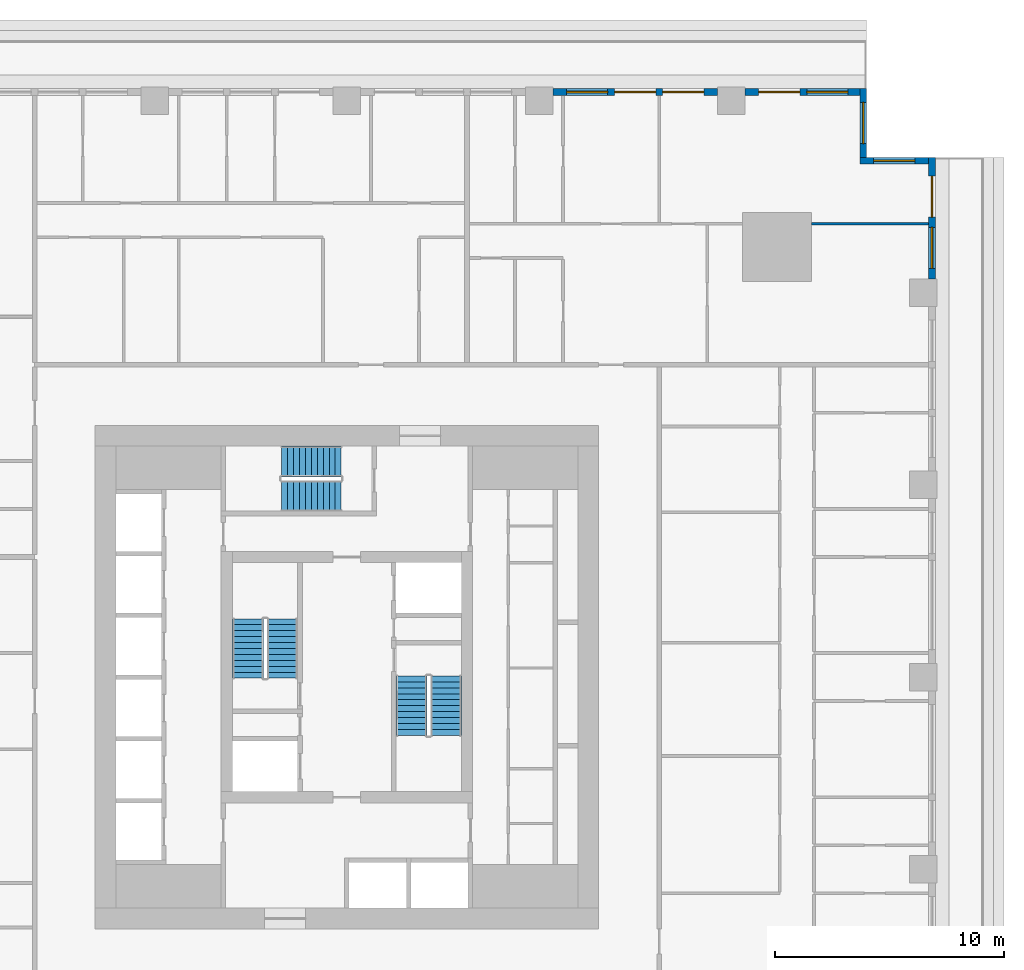
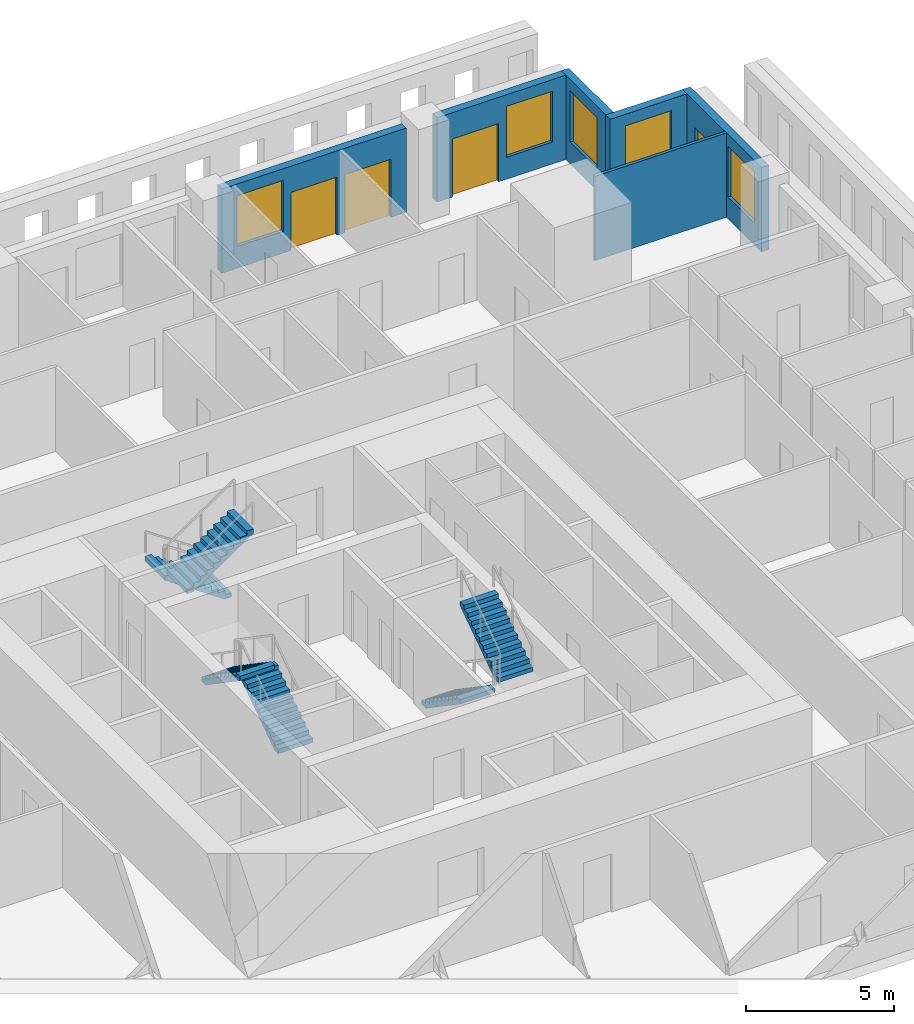
# One storey, part 10 of 15: 6 stair flights, 6 walls, 5 windows, 4 doors, 9 openings, 3 elements without a shape of their own.
"""IFC4 building model written with IfcOpenShell, lengths in metres."""

from ifc_helpers import new_model, si_unit, direction, frame, frame_2d, origin, place, context, subcontext, project, spatial, polyline, rectangle, outline, extrude, material, layer, layer_set, type_object, element, fill, aggregate, save


model = new_model("IFC4")

# Units and contexts
model_context = context("Model", 3, precision=1e-05, world=origin(), true_north=direction((0.0, 1.0)))
body_context = subcontext(model_context, "Body", "Model", "MODEL_VIEW")
ifc_project = project(units=[si_unit("LENGTHUNIT", "METRE"), si_unit("AREAUNIT", "SQUARE_METRE"), si_unit("VOLUMEUNIT", "CUBIC_METRE"), si_unit("PLANEANGLEUNIT", "RADIAN"), si_unit("MASSUNIT", "GRAM", prefix="KILO")], contexts=[model_context])

# Site, building, storey
site_placement = place(None, origin())
site = spatial("IfcSite", under=ifc_project, at=site_placement, CompositionType="ELEMENT")
building_placement = place(site_placement, origin())
building = spatial("IfcBuilding", under=site, at=building_placement, Name="Khepri Terraces", CompositionType="ELEMENT")
storey_placement = place(building_placement, frame((0.0, 0.0, 58.199951171875)))
storey = spatial("IfcBuildingStorey", under=building, at=storey_placement, Name="L13", CompositionType="ELEMENT", Elevation=58.199951171875)

# Wall, openings, door, window
ifc_material_1 = material(Name="Precast concrete C50/60 warm stone", Category="masonry")
ifc_layer_1 = layer(ifc_material_1, 0.300048828125, Name="Precast concrete C50/60 warm stone", Category="masonry")
ifc_layer_set_1 = layer_set([ifc_layer_1], Name="Precast concrete C50/60 warm stone")
wall_type_1 = type_object("IfcWallType", Name="WL-EXT-PRECAST-300", PredefinedType="STANDARD", material=ifc_layer_set_1)
wall_1_placement = place(storey_placement, frame((25.570068359375, 17.39990234375, 0.0), z_axis=(0.0, 0.0, 1.0), x_axis=(0.0, 1.0, 0.0)))
wall_1 = element("IfcWall", 1, at=wall_1_placement, inside=storey, type_object=wall_type_1, Name="External wall L13 E", PredefinedType="STANDARD", context=body_context, shape_type="SweptSolid", body=[
    extrude(rectangle(XDim=5.320068359375, YDim=0.300048828125, at=frame_2d((2.66015625, 0.0))), origin(), (0.0, 0.0, 1.0), 3.47998046875),
])
opening_1_placement = place(wall_1_placement, frame((2.699951171875, 0.0, 0.0)))
opening_1 = element("IfcOpeningElement", 2, at=opening_1_placement, cuts=wall_1, Name="Opening ED-L13-04", PredefinedType="OPENING", context=body_context, shape_type="SweptSolid", body=[
    extrude(rectangle(XDim=1.800048828125, YDim=2.39990234375, at=frame_2d((0.89990234375, 1.199951171875))), frame((0.0, 0.16015625, 0.0), z_axis=(0.0, -1.0, 0.0), x_axis=(1.0, 0.0, 0.0)), (0.0, 0.0, 1.0), 0.320068359375),
])
opening_2_placement = place(wall_1_placement, frame((0.4599609375, 0.0, 0.89990234375)))
opening_2 = element("IfcOpeningElement", 3, at=opening_2_placement, cuts=wall_1, Name="Opening W1", PredefinedType="OPENING", context=body_context, shape_type="SweptSolid", body=[
    extrude(rectangle(XDim=1.800048828125, YDim=2.10009765625, at=frame_2d((0.89990234375, 1.050048828125))), frame((0.0, 0.16015625, 0.0), z_axis=(0.0, -1.0, 0.0), x_axis=(1.0, 0.0, 0.0)), (0.0, 0.0, 1.0), 0.320068359375),
])
ifc_material_2 = material(Name="Anodised aluminium bronze glazed door", Category="aluminium")
door_type = type_object("IfcDoorType", Name="DR-BAL-SLIDE-1800x2400", OperationType="NOTDEFINED", PredefinedType="DOOR", material=ifc_material_2)
door_1_placement = place(opening_1_placement, origin())
door_1 = element("IfcDoor", 4, at=door_1_placement, inside=storey, type_object=door_type, Name="Balcony door L13 E", OperationType="SLIDING_TO_LEFT", OverallHeight=2.39990234375, OverallWidth=1.800048828125, PredefinedType="DOOR", context=body_context, shape_type="SweptSolid", body=[
    extrude(rectangle(XDim=1.800048828125, YDim=2.39990234375, at=frame_2d((0.89990234375, 1.199951171875))), frame((0.0, 0.02490234375, 0.0), z_axis=(0.0, -1.0, 0.0), x_axis=(1.0, 0.0, 0.0)), (0.0, 0.0, 1.0), 0.050048828125),
])
fill(opening_1, door_1)
ifc_material_3 = material(Name="Clear glass", Category="glass")
window_type = type_object("IfcWindowType", Name="WIN-RES-1800x2100", PartitioningType="SINGLE_PANEL", PredefinedType="WINDOW", material=ifc_material_3)
window_1_placement = place(opening_2_placement, origin())
window_1 = element("IfcWindow", 5, at=window_1_placement, inside=storey, type_object=window_type, Name="Window L13 E", OverallHeight=2.10009765625, OverallWidth=1.800048828125, PartitioningType="SINGLE_PANEL", PredefinedType="WINDOW", context=body_context, shape_type="SweptSolid", body=[
    extrude(rectangle(XDim=1.800048828125, YDim=2.10009765625, at=frame_2d((0.89990234375, 1.050048828125))), frame((0.0, 0.030029296875, 0.0), z_axis=(0.0, -1.0, 0.0), x_axis=(1.0, 0.0, 0.0)), (0.0, 0.0, 1.0), 0.06005859375),
])
fill(opening_2, window_1)

# Wall, opening, window
wall_2_placement = place(storey_placement, frame((25.419921875, 22.570068359375, 0.0), z_axis=(0.0, 0.0, 1.0), x_axis=(-1.0, 0.0, 0.0)))
wall_2 = element("IfcWall", 6, at=wall_2_placement, inside=storey, type_object=wall_type_1, Name="External wall L13 N", PredefinedType="STANDARD", context=body_context, shape_type="SweptSolid", body=[
    extrude(rectangle(XDim=3.0, YDim=0.300048828125, at=frame_2d((1.5, 0.0))), origin(), (0.0, 0.0, 1.0), 3.47998046875),
])
opening_3_placement = place(wall_2_placement, frame((0.60009765625, 0.0, 0.89990234375)))
opening_3 = element("IfcOpeningElement", 7, at=opening_3_placement, cuts=wall_2, Name="Opening W1", PredefinedType="OPENING", context=body_context, shape_type="SweptSolid", body=[
    extrude(rectangle(XDim=1.800048828125, YDim=2.10009765625, at=frame_2d((0.89990234375, 1.050048828125))), frame((0.0, 0.16015625, 0.0), z_axis=(0.0, -1.0, 0.0), x_axis=(1.0, 0.0, 0.0)), (0.0, 0.0, 1.0), 0.320068359375),
])
window_2_placement = place(opening_3_placement, origin())
window_2 = element("IfcWindow", 8, at=window_2_placement, inside=storey, type_object=window_type, Name="Window L13 N", OverallHeight=2.10009765625, OverallWidth=1.800048828125, PartitioningType="SINGLE_PANEL", PredefinedType="WINDOW", context=body_context, shape_type="SweptSolid", body=[
    extrude(rectangle(XDim=1.800048828125, YDim=2.10009765625, at=frame_2d((0.89990234375, 1.050048828125))), frame((0.0, 0.030029296875, 0.0), z_axis=(0.0, -1.0, 0.0), x_axis=(1.0, 0.0, 0.0)), (0.0, 0.0, 1.0), 0.06005859375),
])
fill(opening_3, window_2)

wall_3_placement = place(storey_placement, frame((22.570068359375, 22.719970703125, 0.0), z_axis=(0.0, 0.0, 1.0), x_axis=(0.0, 1.0, 0.0)))
wall_3 = element("IfcWall", 9, at=wall_3_placement, inside=storey, type_object=wall_type_1, Name="External wall L13 E", PredefinedType="STANDARD", context=body_context, shape_type="SweptSolid", body=[
    extrude(rectangle(XDim=3.0, YDim=0.300048828125, at=frame_2d((1.5, 0.0))), origin(), (0.0, 0.0, 1.0), 3.47998046875),
])
opening_4_placement = place(wall_3_placement, frame((0.60009765625, 0.0, 0.89990234375)))
opening_4 = element("IfcOpeningElement", 10, at=opening_4_placement, cuts=wall_3, Name="Opening W1", PredefinedType="OPENING", context=body_context, shape_type="SweptSolid", body=[
    extrude(rectangle(XDim=1.800048828125, YDim=2.10009765625, at=frame_2d((0.89990234375, 1.050048828125))), frame((0.0, 0.16015625, 0.0), z_axis=(0.0, -1.0, 0.0), x_axis=(1.0, 0.0, 0.0)), (0.0, 0.0, 1.0), 0.320068359375),
])
window_3_placement = place(opening_4_placement, origin())
window_3 = element("IfcWindow", 11, at=window_3_placement, inside=storey, type_object=window_type, Name="Window L13 E", OverallHeight=2.10009765625, OverallWidth=1.800048828125, PartitioningType="SINGLE_PANEL", PredefinedType="WINDOW", context=body_context, shape_type="SweptSolid", body=[
    extrude(rectangle(XDim=1.800048828125, YDim=2.10009765625, at=frame_2d((0.89990234375, 1.050048828125))), frame((0.0, 0.030029296875, 0.0), z_axis=(0.0, -1.0, 0.0), x_axis=(1.0, 0.0, 0.0)), (0.0, 0.0, 1.0), 0.06005859375),
])
fill(opening_4, window_3)

# Wall, openings, door, window
wall_4_placement = place(storey_placement, frame((22.419921875, 25.570068359375, 0.0), z_axis=(0.0, 0.0, 1.0), x_axis=(-1.0, 0.0, 0.0)))
wall_4 = element("IfcWall", 12, at=wall_4_placement, inside=storey, type_object=wall_type_1, Name="External wall L13 N", PredefinedType="STANDARD", context=body_context, shape_type="SweptSolid", body=[
    extrude(rectangle(XDim=5.02001953125, YDim=0.300048828125, at=frame_2d((2.510009765625, 0.0))), origin(), (0.0, 0.0, 1.0), 3.47998046875),
])
opening_5_placement = place(wall_4_placement, frame((0.52001953125, 0.0, 0.89990234375)))
opening_5 = element("IfcOpeningElement", 13, at=opening_5_placement, cuts=wall_4, Name="Opening W1", PredefinedType="OPENING", context=body_context, shape_type="SweptSolid", body=[
    extrude(rectangle(XDim=1.800048828125, YDim=2.10009765625, at=frame_2d((0.89990234375, 1.050048828125))), frame((0.0, 0.16015625, 0.0), z_axis=(0.0, -1.0, 0.0), x_axis=(1.0, 0.0, 0.0)), (0.0, 0.0, 1.0), 0.320068359375),
])
opening_6_placement = place(wall_4_placement, frame((2.6201171875, 0.0, 0.0)))
opening_6 = element("IfcOpeningElement", 14, at=opening_6_placement, cuts=wall_4, Name="Opening ED-L13-05", PredefinedType="OPENING", context=body_context, shape_type="SweptSolid", body=[
    extrude(rectangle(XDim=1.800048828125, YDim=2.39990234375, at=frame_2d((0.89990234375, 1.199951171875))), frame((0.0, 0.16015625, 0.0), z_axis=(0.0, -1.0, 0.0), x_axis=(1.0, 0.0, 0.0)), (0.0, 0.0, 1.0), 0.320068359375),
])
door_2_placement = place(opening_6_placement, origin())
door_2 = element("IfcDoor", 15, at=door_2_placement, inside=storey, type_object=door_type, Name="Balcony door L13 N", OperationType="SLIDING_TO_RIGHT", OverallHeight=2.39990234375, OverallWidth=1.800048828125, PredefinedType="DOOR", context=body_context, shape_type="SweptSolid", body=[
    extrude(rectangle(XDim=1.800048828125, YDim=2.39990234375, at=frame_2d((0.89990234375, 1.199951171875))), frame((0.0, 0.02490234375, 0.0), z_axis=(0.0, -1.0, 0.0), x_axis=(1.0, 0.0, 0.0)), (0.0, 0.0, 1.0), 0.050048828125),
])
fill(opening_6, door_2)
window_4_placement = place(opening_5_placement, origin())
window_4 = element("IfcWindow", 16, at=window_4_placement, inside=storey, type_object=window_type, Name="Window L13 N", OverallHeight=2.10009765625, OverallWidth=1.800048828125, PartitioningType="SINGLE_PANEL", PredefinedType="WINDOW", context=body_context, shape_type="SweptSolid", body=[
    extrude(rectangle(XDim=1.800048828125, YDim=2.10009765625, at=frame_2d((0.89990234375, 1.050048828125))), frame((0.0, 0.030029296875, 0.0), z_axis=(0.0, -1.0, 0.0), x_axis=(1.0, 0.0, 0.0)), (0.0, 0.0, 1.0), 0.06005859375),
])
fill(opening_5, window_4)

# Wall, openings, doors, window
wall_5_placement = place(storey_placement, frame((16.199951171875, 25.570068359375, 0.0), z_axis=(0.0, 0.0, 1.0), x_axis=(-1.0, 0.0, 0.0)))
wall_5 = element("IfcWall", 17, at=wall_5_placement, inside=storey, type_object=wall_type_1, Name="External wall L13 N", PredefinedType="STANDARD", context=body_context, shape_type="SweptSolid", body=[
    extrude(rectangle(XDim=7.199951171875, YDim=0.300048828125, at=frame_2d((3.60009765625, 0.0))), origin(), (0.0, 0.0, 1.0), 3.47998046875),
])
opening_7_placement = place(wall_5_placement, frame((0.60009765625, 0.0, 0.0)))
opening_7 = element("IfcOpeningElement", 18, at=opening_7_placement, cuts=wall_5, Name="Opening ED-L13-06", PredefinedType="OPENING", context=body_context, shape_type="SweptSolid", body=[
    extrude(rectangle(XDim=1.800048828125, YDim=2.39990234375, at=frame_2d((0.89990234375, 1.199951171875))), frame((0.0, 0.16015625, 0.0), z_axis=(0.0, -1.0, 0.0), x_axis=(1.0, 0.0, 0.0)), (0.0, 0.0, 1.0), 0.320068359375),
])
opening_8_placement = place(wall_5_placement, frame((2.699951171875, 0.0, 0.0)))
opening_8 = element("IfcOpeningElement", 19, at=opening_8_placement, cuts=wall_5, Name="Opening ED-L13-07", PredefinedType="OPENING", context=body_context, shape_type="SweptSolid", body=[
    extrude(rectangle(XDim=1.800048828125, YDim=2.39990234375, at=frame_2d((0.89990234375, 1.199951171875))), frame((0.0, 0.16015625, 0.0), z_axis=(0.0, -1.0, 0.0), x_axis=(1.0, 0.0, 0.0)), (0.0, 0.0, 1.0), 0.320068359375),
])
opening_9_placement = place(wall_5_placement, frame((4.800048828125, 0.0, 0.89990234375)))
opening_9 = element("IfcOpeningElement", 20, at=opening_9_placement, cuts=wall_5, Name="Opening W1", PredefinedType="OPENING", context=body_context, shape_type="SweptSolid", body=[
    extrude(rectangle(XDim=1.800048828125, YDim=2.10009765625, at=frame_2d((0.89990234375, 1.050048828125))), frame((0.0, 0.16015625, 0.0), z_axis=(0.0, -1.0, 0.0), x_axis=(1.0, 0.0, 0.0)), (0.0, 0.0, 1.0), 0.320068359375),
])
door_3_placement = place(opening_7_placement, origin())
door_3 = element("IfcDoor", 21, at=door_3_placement, inside=storey, type_object=door_type, Name="Balcony door L13 N", OperationType="SLIDING_TO_LEFT", OverallHeight=2.39990234375, OverallWidth=1.800048828125, PredefinedType="DOOR", context=body_context, shape_type="SweptSolid", body=[
    extrude(rectangle(XDim=1.800048828125, YDim=2.39990234375, at=frame_2d((0.89990234375, 1.199951171875))), frame((0.0, 0.02490234375, 0.0), z_axis=(0.0, -1.0, 0.0), x_axis=(1.0, 0.0, 0.0)), (0.0, 0.0, 1.0), 0.050048828125),
])
fill(opening_7, door_3)
door_4_placement = place(opening_8_placement, origin())
door_4 = element("IfcDoor", 22, at=door_4_placement, inside=storey, type_object=door_type, Name="Balcony door L13 N", OperationType="SLIDING_TO_RIGHT", OverallHeight=2.39990234375, OverallWidth=1.800048828125, PredefinedType="DOOR", context=body_context, shape_type="SweptSolid", body=[
    extrude(rectangle(XDim=1.800048828125, YDim=2.39990234375, at=frame_2d((0.89990234375, 1.199951171875))), frame((0.0, 0.02490234375, 0.0), z_axis=(0.0, -1.0, 0.0), x_axis=(1.0, 0.0, 0.0)), (0.0, 0.0, 1.0), 0.050048828125),
])
fill(opening_8, door_4)
window_5_placement = place(opening_9_placement, origin())
window_5 = element("IfcWindow", 23, at=window_5_placement, inside=storey, type_object=window_type, Name="Window L13 N", OverallHeight=2.10009765625, OverallWidth=1.800048828125, PartitioningType="SINGLE_PANEL", PredefinedType="WINDOW", context=body_context, shape_type="SweptSolid", body=[
    extrude(rectangle(XDim=1.800048828125, YDim=2.10009765625, at=frame_2d((0.89990234375, 1.050048828125))), frame((0.0, 0.030029296875, 0.0), z_axis=(0.0, -1.0, 0.0), x_axis=(1.0, 0.0, 0.0)), (0.0, 0.0, 1.0), 0.06005859375),
])
fill(opening_9, window_5)

# Wall
ifc_material_4 = material(Name="Gypsum plasterboard partition")
ifc_layer_2 = layer(ifc_material_4, 0.1201171875, Name="Gypsum plasterboard partition")
ifc_layer_set_2 = layer_set([ifc_layer_2], Name="Gypsum plasterboard partition")
wall_type_2 = type_object("IfcWallType", Name="WL-PART-120", PredefinedType="PARTITIONING", material=ifc_layer_set_2)
wall_6_placement = place(storey_placement, frame((20.300048828125, 19.820068359375, 0.0), z_axis=(0.0, 0.0, 1.0), x_axis=(1.0, 0.0, 0.0)))
element("IfcWall", 24, at=wall_6_placement, inside=storey, type_object=wall_type_2, Name="Partition P-097 L13", PredefinedType="PARTITIONING", context=body_context, shape_type="SweptSolid", body=[
    extrude(rectangle(XDim=5.119873046875, YDim=0.1201171875, at=frame_2d((2.56005859375, 0.0))), origin(), (0.0, 0.0, 1.0), 3.47998046875),
])

# Stair, stair flights
ifc_material_5 = material(Name="Concrete C40/50", Category="concrete")
stair_type = type_object("IfcStairType", Name="STAIR-RC-22R", PredefinedType="HALF_TURN_STAIR", material=ifc_material_5)
stair_1_placement = place(storey_placement, origin())
stair_1 = element("IfcStair", 25, at=stair_1_placement, inside=storey, type_object=stair_type, Name="L13 Exit Stair ST-1", PredefinedType="HALF_TURN_STAIR")
stair_flight_type = type_object("IfcStairFlightType", Name="SFL-RC-177.3", PredefinedType="STRAIGHT", material=ifc_material_5)
stair_flight_1_placement = place(storey_placement, frame((-2.824951171875, -0.050048828125, 0.0), z_axis=(0.0, 0.0, 1.0), x_axis=(0.0, 1.0, 0.0)))
stair_flight_1 = element("IfcStairFlight", 26, at=stair_flight_1_placement, type_object=stair_flight_type, Name="ST-1 flight 1", NumberOfRisers=11, NumberOfTreads=10, PredefinedType="STRAIGHT", RiserHeight=0.177272727, TreadLength=0.26, context=body_context, shape_type="SweptSolid", body=[
    extrude(outline(polyline([(0.0, 0.0), (0.0, 0.17724609375), (0.260009765625, 0.17724609375), (0.260009765625, 0.3544921875), (0.52001953125, 0.3544921875), (0.52001953125, 0.53173828125), (0.780029296875, 0.53173828125), (0.780029296875, 0.708984375), (1.0400390625, 0.708984375), (1.0400390625, 0.886474609375), (1.300048828125, 0.886474609375), (1.300048828125, 1.063720703125), (1.56005859375, 1.063720703125), (1.56005859375, 1.240966796875), (1.820068359375, 1.240966796875), (1.820068359375, 1.418212890625), (2.080078125, 1.418212890625), (2.080078125, 1.595458984375), (2.340087890625, 1.595458984375), (2.340087890625, 1.772705078125), (2.60009765625, 1.772705078125), (2.60009765625, 1.949951171875), (2.60009765625, 1.59130859375), (0.26611328125, 0.0), (0.0, 0.0)])), frame((0.0, 0.675048828125, 0.0), z_axis=(0.0, -1.0, 0.0), x_axis=(1.0, 0.0, 0.0)), (0.0, 0.0, 1.0), 1.35009765625),
])
stair_flight_2_placement = place(storey_placement, frame((-4.324951171875, 2.550048828125, 1.949951171875), z_axis=(0.0, 0.0, 1.0), x_axis=(0.0, -1.0, 0.0)))
stair_flight_2 = element("IfcStairFlight", 27, at=stair_flight_2_placement, type_object=stair_flight_type, Name="ST-1 flight 2", NumberOfRisers=11, NumberOfTreads=10, PredefinedType="STRAIGHT", RiserHeight=0.177272727, TreadLength=0.26, context=body_context, shape_type="SweptSolid", body=[
    extrude(outline(polyline([(0.0, 0.0), (0.0, 0.17724609375), (0.260009765625, 0.17724609375), (0.260009765625, 0.3544921875), (0.52001953125, 0.3544921875), (0.52001953125, 0.53173828125), (0.780029296875, 0.53173828125), (0.780029296875, 0.708984375), (1.0400390625, 0.708984375), (1.0400390625, 0.886474609375), (1.300048828125, 0.886474609375), (1.300048828125, 1.063720703125), (1.56005859375, 1.063720703125), (1.56005859375, 1.240966796875), (1.820068359375, 1.240966796875), (1.820068359375, 1.418212890625), (2.080078125, 1.418212890625), (2.080078125, 1.595458984375), (2.340087890625, 1.595458984375), (2.340087890625, 1.772705078125), (2.60009765625, 1.772705078125), (2.60009765625, 1.949951171875), (2.60009765625, 1.59130859375), (0.26611328125, 0.0), (0.0, 0.0)])), frame((0.0, 0.675048828125, 0.0), z_axis=(0.0, -1.0, 0.0), x_axis=(1.0, 0.0, 0.0)), (0.0, 0.0, 1.0), 1.35009765625),
])
aggregate(stair_1, [stair_flight_1, stair_flight_2])

stair_2_placement = place(storey_placement, origin())
stair_2 = element("IfcStair", 28, at=stair_2_placement, inside=storey, type_object=stair_type, Name="L13 Exit Stair ST-2", PredefinedType="HALF_TURN_STAIR")
stair_flight_3_placement = place(storey_placement, frame((2.824951171875, 0.050048828125, 0.0), z_axis=(0.0, 0.0, 1.0), x_axis=(0.0, -1.0, 0.0)))
stair_flight_3 = element("IfcStairFlight", 29, at=stair_flight_3_placement, type_object=stair_flight_type, Name="ST-2 flight 1", NumberOfRisers=11, NumberOfTreads=10, PredefinedType="STRAIGHT", RiserHeight=0.177272727, TreadLength=0.26, context=body_context, shape_type="SweptSolid", body=[
    extrude(outline(polyline([(0.0, 0.0), (0.0, 0.17724609375), (0.260009765625, 0.17724609375), (0.260009765625, 0.3544921875), (0.52001953125, 0.3544921875), (0.52001953125, 0.53173828125), (0.780029296875, 0.53173828125), (0.780029296875, 0.708984375), (1.0400390625, 0.708984375), (1.0400390625, 0.886474609375), (1.300048828125, 0.886474609375), (1.300048828125, 1.063720703125), (1.56005859375, 1.063720703125), (1.56005859375, 1.240966796875), (1.820068359375, 1.240966796875), (1.820068359375, 1.418212890625), (2.080078125, 1.418212890625), (2.080078125, 1.595458984375), (2.340087890625, 1.595458984375), (2.340087890625, 1.772705078125), (2.60009765625, 1.772705078125), (2.60009765625, 1.949951171875), (2.60009765625, 1.59130859375), (0.26611328125, 0.0), (0.0, 0.0)])), frame((0.0, 0.675048828125, 0.0), z_axis=(0.0, -1.0, 0.0), x_axis=(1.0, 0.0, 0.0)), (0.0, 0.0, 1.0), 1.35009765625),
])
stair_flight_4_placement = place(storey_placement, frame((4.324951171875, -2.550048828125, 1.949951171875), z_axis=(0.0, 0.0, 1.0), x_axis=(0.0, 1.0, 0.0)))
stair_flight_4 = element("IfcStairFlight", 30, at=stair_flight_4_placement, type_object=stair_flight_type, Name="ST-2 flight 2", NumberOfRisers=11, NumberOfTreads=10, PredefinedType="STRAIGHT", RiserHeight=0.177272727, TreadLength=0.26, context=body_context, shape_type="SweptSolid", body=[
    extrude(outline(polyline([(0.0, 0.0), (0.0, 0.17724609375), (0.260009765625, 0.17724609375), (0.260009765625, 0.3544921875), (0.52001953125, 0.3544921875), (0.52001953125, 0.53173828125), (0.780029296875, 0.53173828125), (0.780029296875, 0.708984375), (1.0400390625, 0.708984375), (1.0400390625, 0.886474609375), (1.300048828125, 0.886474609375), (1.300048828125, 1.063720703125), (1.56005859375, 1.063720703125), (1.56005859375, 1.240966796875), (1.820068359375, 1.240966796875), (1.820068359375, 1.418212890625), (2.080078125, 1.418212890625), (2.080078125, 1.595458984375), (2.340087890625, 1.595458984375), (2.340087890625, 1.772705078125), (2.60009765625, 1.772705078125), (2.60009765625, 1.949951171875), (2.60009765625, 1.59130859375), (0.26611328125, 0.0), (0.0, 0.0)])), frame((0.0, 0.675048828125, 0.0), z_axis=(0.0, -1.0, 0.0), x_axis=(1.0, 0.0, 0.0)), (0.0, 0.0, 1.0), 1.35009765625),
])
aggregate(stair_2, [stair_flight_3, stair_flight_4])

stair_3_placement = place(storey_placement, origin())
stair_3 = element("IfcStair", 31, at=stair_3_placement, inside=storey, type_object=stair_type, Name="L13 Exit Stair ST-3", PredefinedType="HALF_TURN_STAIR")
stair_flight_5_placement = place(storey_placement, frame((-0.25, 9.425048828125, 0.0), z_axis=(0.0, 0.0, 1.0), x_axis=(-1.0, 0.0, 0.0)))
stair_flight_5 = element("IfcStairFlight", 32, at=stair_flight_5_placement, type_object=stair_flight_type, Name="ST-3 flight 1", NumberOfRisers=11, NumberOfTreads=10, PredefinedType="STRAIGHT", RiserHeight=0.177272727, TreadLength=0.26, context=body_context, shape_type="SweptSolid", body=[
    extrude(outline(polyline([(0.0, 0.0), (0.0, 0.17724609375), (0.260009765625, 0.17724609375), (0.260009765625, 0.3544921875), (0.52001953125, 0.3544921875), (0.52001953125, 0.53173828125), (0.780029296875, 0.53173828125), (0.780029296875, 0.708984375), (1.0400390625, 0.708984375), (1.0400390625, 0.886474609375), (1.300048828125, 0.886474609375), (1.300048828125, 1.063720703125), (1.56005859375, 1.063720703125), (1.56005859375, 1.240966796875), (1.820068359375, 1.240966796875), (1.820068359375, 1.418212890625), (2.080078125, 1.418212890625), (2.080078125, 1.595458984375), (2.340087890625, 1.595458984375), (2.340087890625, 1.772705078125), (2.60009765625, 1.772705078125), (2.60009765625, 1.949951171875), (2.60009765625, 1.59130859375), (0.26611328125, 0.0), (0.0, 0.0)])), frame((0.0, 0.675048828125, 0.0), z_axis=(0.0, -1.0, 0.0), x_axis=(1.0, 0.0, 0.0)), (0.0, 0.0, 1.0), 1.35009765625),
])
stair_flight_6_placement = place(storey_placement, frame((-2.85009765625, 7.925048828125, 1.949951171875), z_axis=(0.0, 0.0, 1.0), x_axis=(1.0, 0.0, 0.0)))
stair_flight_6 = element("IfcStairFlight", 33, at=stair_flight_6_placement, type_object=stair_flight_type, Name="ST-3 flight 2", NumberOfRisers=11, NumberOfTreads=10, PredefinedType="STRAIGHT", RiserHeight=0.177272727, TreadLength=0.26, context=body_context, shape_type="SweptSolid", body=[
    extrude(outline(polyline([(0.0, 0.0), (0.0, 0.17724609375), (0.260009765625, 0.17724609375), (0.260009765625, 0.3544921875), (0.52001953125, 0.3544921875), (0.52001953125, 0.53173828125), (0.780029296875, 0.53173828125), (0.780029296875, 0.708984375), (1.0400390625, 0.708984375), (1.0400390625, 0.886474609375), (1.300048828125, 0.886474609375), (1.300048828125, 1.063720703125), (1.56005859375, 1.063720703125), (1.56005859375, 1.240966796875), (1.820068359375, 1.240966796875), (1.820068359375, 1.418212890625), (2.080078125, 1.418212890625), (2.080078125, 1.595458984375), (2.340087890625, 1.595458984375), (2.340087890625, 1.772705078125), (2.60009765625, 1.772705078125), (2.60009765625, 1.949951171875), (2.60009765625, 1.59130859375), (0.26611328125, 0.0), (0.0, 0.0)])), frame((0.0, 0.675048828125, 0.0), z_axis=(0.0, -1.0, 0.0), x_axis=(1.0, 0.0, 0.0)), (0.0, 0.0, 1.0), 1.35009765625),
])
aggregate(stair_3, [stair_flight_5, stair_flight_6])

save(model, "model.ifc")
